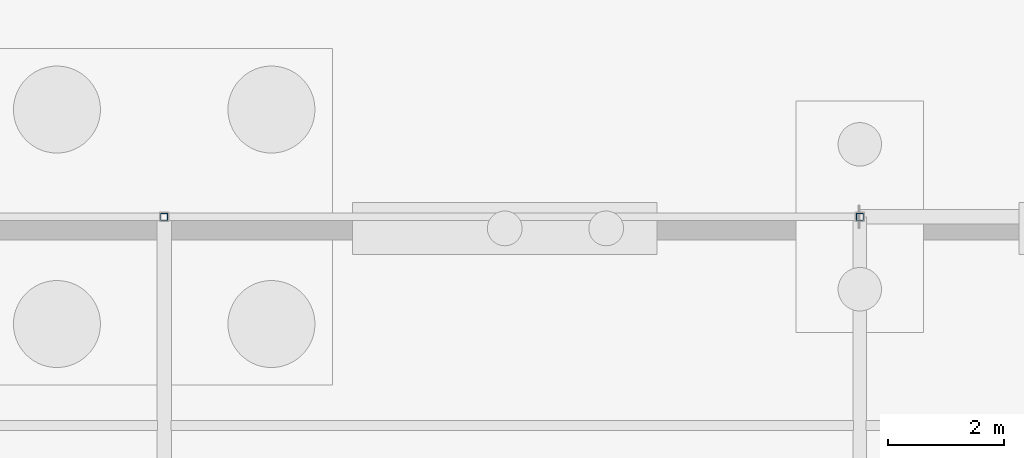
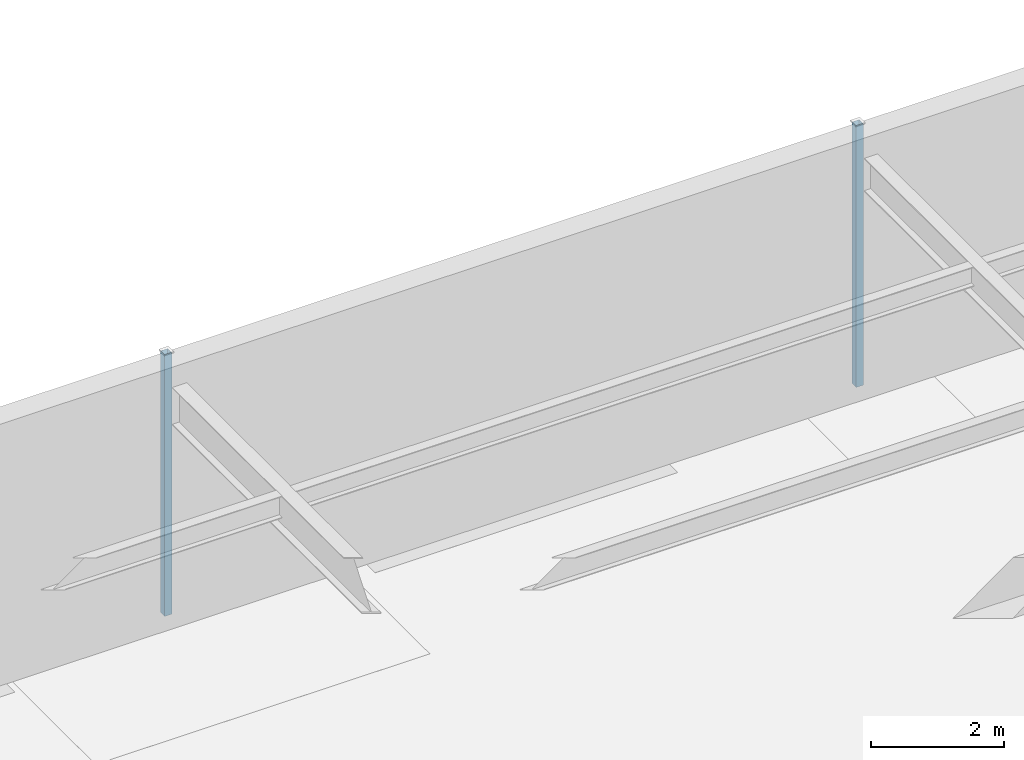
# One storey, part 70 of 136: 2 columns.
"""IFC4 building model written with IfcOpenShell, lengths in metres."""

from ifc_helpers import new_model, si_unit, direction, frame, origin, origin_2d, place, context, subcontext, project, spatial, hollow_rectangle, extrude, material, material_profile, profile_set, type_object, element, save


model = new_model("IFC4")

# Units and contexts
model_context = context("Model", 3, precision=1e-05, world=origin(), true_north=direction((0.0, 1.0)))
body_context = subcontext(model_context, "Body", "Model", "MODEL_VIEW")
ifc_project = project(units=[si_unit("LENGTHUNIT", "METRE"), si_unit("AREAUNIT", "SQUARE_METRE"), si_unit("VOLUMEUNIT", "CUBIC_METRE"), si_unit("PLANEANGLEUNIT", "RADIAN"), si_unit("MASSUNIT", "GRAM", prefix="KILO")], contexts=[model_context])

# Site, building, storey
site_placement = place(None, origin())
site = spatial("IfcSite", under=ifc_project, at=site_placement, CompositionType="ELEMENT")
building_placement = place(site_placement, origin())
building = spatial("IfcBuilding", under=site, at=building_placement, Name="Tarnwether General Hospital", CompositionType="ELEMENT")
storey_placement = place(building_placement, frame((0.0, 0.0, -4.800048828125)))
storey = spatial("IfcBuildingStorey", under=building, at=storey_placement, Name="LG", CompositionType="ELEMENT", Elevation=-4.800048828125)

# Columns
ifc_material = material(Name="Steel Grade C350L0 (350 MPa)", Category="steel")
ifc_material_profile = material_profile(ifc_material, hollow_rectangle(XDim=0.125, YDim=0.125, WallThickness=0.006103515625, at=origin_2d()), Name="SHS125x125x6")
ifc_profile_set = profile_set([ifc_material_profile], Name="Steel Grade C350L0 (350 MPa)")
column_type = type_object("IfcColumnType", Name="COL-34", PredefinedType="COLUMN", material=ifc_profile_set)
for number, where, z_axis, x_axis, name in (
    (1, (24.0, 126.0, 0.0), (0.0, 0.0, 1.0), (1.0, 0.0, 0.0), "Column COLG-LG-2400_12600"),
    (2, (36.0, 126.0, 0.0), (0.0, 0.0, 1.0), (0.0, 1.0, 0.0), "Column COLG-LG-3600_12600"),
):
    element("IfcColumn", number, at=place(storey_placement, frame(where, z_axis=z_axis, x_axis=x_axis)), inside=storey, type_object=column_type, Name=name, PredefinedType="COLUMN", context=body_context, shape_type="SweptSolid", body=[
        extrude(hollow_rectangle(XDim=0.125, YDim=0.125, WallThickness=0.006103515625, at=origin_2d()), origin(), (0.0, 0.0, 1.0), 4.800048828125),
    ])

save(model, "model.ifc")
